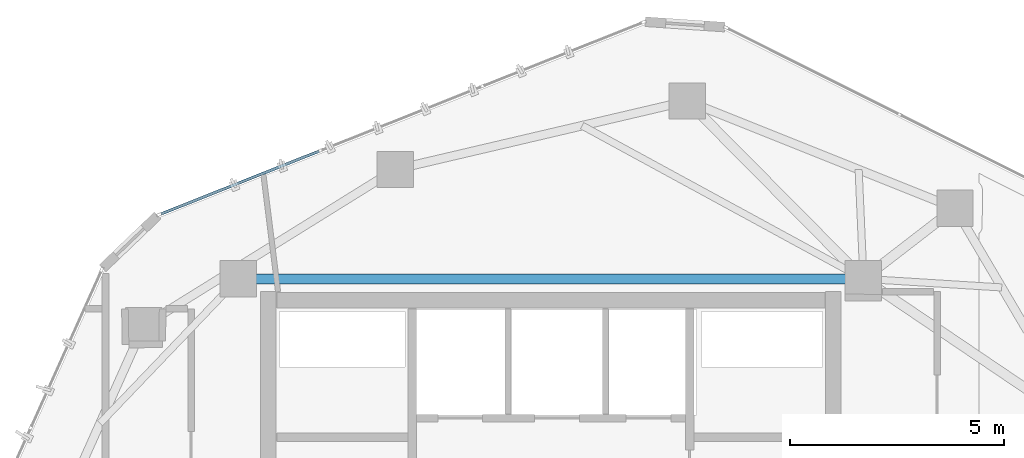
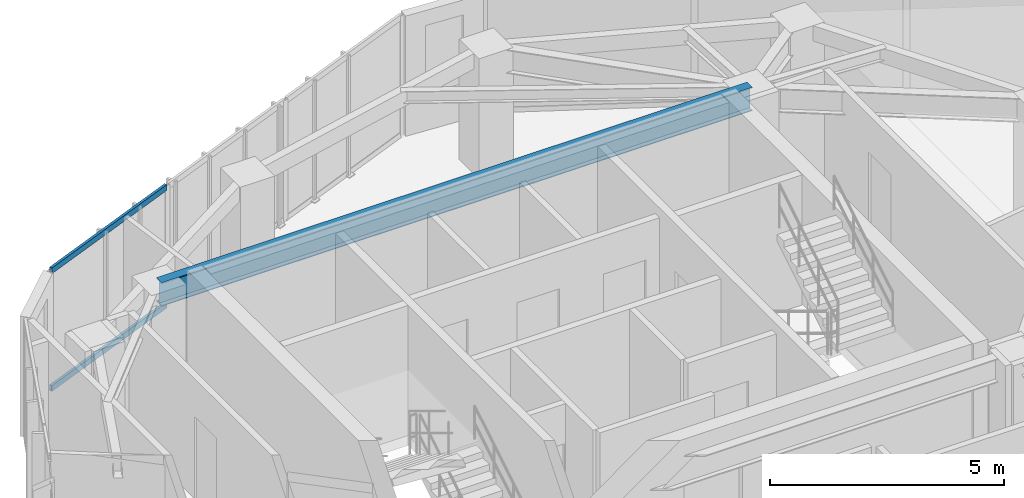
# One storey, part 10 of 20: 2 members, 1 beam, 1 element without a shape of its own.
"""IFC4 building model written with IfcOpenShell, lengths in metres."""

import ifcopenshell
import ifcopenshell.guid

model = None  # the IFC model being written
_history = None  # IfcOwnerHistory: only IFC2X3 demands one
_inside = {}  # id of a spatial element -> (the spatial element, [elements in it])
_under = {}  # id of a project, library or spatial element -> (it, [spatial elements below it])
_declared = {}  # id of a project -> (the project, [libraries it declares])
_typed = {}  # id of a type object -> (the type object, [elements of that type])
_made_of = {}  # id of a material, layer set ... -> (it, [elements and type objects made of it])


def new_model(schema):
    """Start an empty IFC model of exactly this schema.

    Asked for "IFC4X3", IfcOpenShell would pick the latest addendum, in which some entities
    have other attributes; the version numbers below select the first issue.
    IFC2X3 requires an IfcOwnerHistory on every rooted entity: one is made here for all.
    """
    global model, _history
    if schema == "IFC4X3":
        model = ifcopenshell.file(schema_version=(4, 3, 0, 0))
    else:
        model = ifcopenshell.file(schema=schema)
    _inside.clear()
    _under.clear()
    _declared.clear()
    _typed.clear()
    _made_of.clear()
    _history = None
    if model.schema == "IFC2X3":
        org = make("IfcOrganization", Name="unknown")
        user = make(
            "IfcPersonAndOrganization",
            ThePerson=make("IfcPerson", FamilyName="unknown"),
            TheOrganization=org,
        )
        app = make(
            "IfcApplication",
            ApplicationDeveloper=org,
            Version="unknown",
            ApplicationFullName="unknown",
            ApplicationIdentifier="unknown",
        )
        _history = make(
            "IfcOwnerHistory",
            OwningUser=user,
            OwningApplication=app,
            ChangeAction="ADDED",
            CreationDate=0,
        )
    return model


def make(cls, **values):
    """One entity of the class cls with the attributes given. An attribute that is None is left unset."""
    return model.create_entity(
        cls, **{name: value for name, value in values.items() if value is not None}
    )


def rooted(cls, **values):
    """An entity with a GlobalId (a new one), such as an element, a storey or a relation."""
    return make(cls, GlobalId=ifcopenshell.guid.new(), OwnerHistory=_history, **values)


def si_unit(unit_type, name, prefix=None):
    """IfcSIUnit, for example si_unit("LENGTHUNIT", "METRE", prefix="MILLI")."""
    return make("IfcSIUnit", UnitType=unit_type, Prefix=prefix, Name=name)


def assignment(units):
    """IfcUnitAssignment: the units of a project."""
    return None if units is None else make("IfcUnitAssignment", Units=units)


def point(xyz):
    """IfcCartesianPoint."""
    return None if xyz is None else make("IfcCartesianPoint", Coordinates=xyz)


def direction(xyz):
    """IfcDirection."""
    return None if xyz is None else make("IfcDirection", DirectionRatios=xyz)


def frame(location, z_axis=None, x_axis=None):
    """IfcAxis2Placement3D, a coordinate frame: its origin and axes. An axis left out is left unset."""
    return make(
        "IfcAxis2Placement3D",
        Location=point(location),
        Axis=direction(z_axis),
        RefDirection=direction(x_axis),
    )


def frame_2d(location, x_axis=None):
    """IfcAxis2Placement2D, a coordinate frame in the plane: its origin and x axis."""
    return make(
        "IfcAxis2Placement2D", Location=point(location), RefDirection=direction(x_axis)
    )


def origin():
    """The frame at (0, 0, 0) with its axes left unset."""
    return frame((0.0, 0.0, 0.0))


def origin_2d():
    """The frame at (0, 0) in the plane with its x axis left unset."""
    return frame_2d((0.0, 0.0))


def place(relative_to, where):
    """IfcLocalPlacement: puts the frame where relative to a parent placement (None: the world)."""
    return make(
        "IfcLocalPlacement", PlacementRelTo=relative_to, RelativePlacement=where
    )


def context(
    kind, dimensions, precision=None, world=None, true_north=None, identifier=None
):
    """IfcGeometricRepresentationContext, for example the 3D "Model" context."""
    return make(
        "IfcGeometricRepresentationContext",
        ContextIdentifier=identifier,
        ContextType=kind,
        CoordinateSpaceDimension=dimensions,
        Precision=precision,
        WorldCoordinateSystem=world,
        TrueNorth=true_north,
    )


def subcontext(parent, identifier, kind, view, scale=None):
    """IfcGeometricRepresentationSubContext, for example "Body" below "Model"."""
    return make(
        "IfcGeometricRepresentationSubContext",
        ContextIdentifier=identifier,
        ContextType=kind,
        ParentContext=parent,
        TargetScale=scale,
        TargetView=view,
    )


def project(units=None, contexts=None):
    """IfcProject with its units and contexts."""
    return rooted(
        "IfcProject",
        Name="project",
        RepresentationContexts=contexts,
        UnitsInContext=assignment(units),
    )


def spatial(cls, under=None, at=None, **own):
    """A site, building, storey or space (cls), placed at a placement, below another one or the project."""
    s = rooted(cls, ObjectPlacement=at, **own)
    if under is not None:
        _under.setdefault(under.id(), (under, []))[1].append(s)
    return s


def profile(cls, at=None, kind="AREA", **sizes):
    """A parametric profile (cls). Its sizes go by their IFC names, for example OverallWidth=200.0."""
    return make(cls, ProfileType=kind, Position=at, **sizes)


def hollow_rectangle(**sizes):
    """IfcRectangleHollowProfileDef."""
    return profile("IfcRectangleHollowProfileDef", **sizes)


def i_section(**sizes):
    """IfcIShapeProfileDef."""
    return profile("IfcIShapeProfileDef", **sizes)


def extrude(swept, where, along, depth):
    """IfcExtrudedAreaSolid: the profile swept, set in the frame where, extruded along a direction by depth."""
    return make(
        "IfcExtrudedAreaSolid",
        SweptArea=swept,
        Position=where,
        ExtrudedDirection=direction(along),
        Depth=depth,
    )


def shape(context_of_items, identifier, shape_type, items):
    """IfcShapeRepresentation: the items that make up one representation, for example the "Body"."""
    return make(
        "IfcShapeRepresentation",
        ContextOfItems=context_of_items,
        RepresentationIdentifier=identifier,
        RepresentationType=shape_type,
        Items=items,
    )


def source(mapping_origin, context_of_items, identifier, shape_type, items):
    """IfcRepresentationMap: a shape defined once, which mapped items show again and again."""
    return make(
        "IfcRepresentationMap",
        MappingOrigin=mapping_origin,
        MappedRepresentation=shape(context_of_items, identifier, shape_type, items),
    )


def transform(
    local_origin,
    x_axis=None,
    y_axis=None,
    z_axis=None,
    scale=None,
    scale2=None,
    scale3=None,
    uniform=True,
):
    """IfcCartesianTransformationOperator3D, or its non-uniform kind. x_axis, y_axis, z_axis: its Axis1, 2, 3."""
    if uniform:
        return make(
            "IfcCartesianTransformationOperator3D",
            Axis1=direction(x_axis),
            Axis2=direction(y_axis),
            LocalOrigin=point(local_origin),
            Scale=scale,
            Axis3=direction(z_axis),
        )
    return make(
        "IfcCartesianTransformationOperator3DnonUniform",
        Axis1=direction(x_axis),
        Axis2=direction(y_axis),
        LocalOrigin=point(local_origin),
        Scale=scale,
        Axis3=direction(z_axis),
        Scale2=scale2,
        Scale3=scale3,
    )


def mapped(mapping_source, mapping_target):
    """IfcMappedItem: shows the shape of a source again, moved by a transform."""
    return make(
        "IfcMappedItem", MappingSource=mapping_source, MappingTarget=mapping_target
    )


def material(Name=None, Category=None):
    """IfcMaterial."""
    return make("IfcMaterial", Name=Name, Category=Category)


def layer(
    of_material, thickness, ventilated=None, Name=None, Category=None, Priority=None
):
    """IfcMaterialLayer: one layer of a wall or slab, of a material (None: an air gap)."""
    return make(
        "IfcMaterialLayer",
        Material=of_material,
        LayerThickness=thickness,
        IsVentilated=ventilated,
        Name=Name,
        Category=Category,
        Priority=Priority,
    )


def layer_set(layers, Name=None):
    """IfcMaterialLayerSet."""
    return make("IfcMaterialLayerSet", MaterialLayers=layers, LayerSetName=Name)


def material_profile(
    of_material, cross_section, Name=None, Category=None, Priority=None
):
    """IfcMaterialProfile: a cross section and its material."""
    return make(
        "IfcMaterialProfile",
        Name=Name,
        Material=of_material,
        Profile=cross_section,
        Priority=Priority,
        Category=Category,
    )


def profile_set(profiles, Name=None, composite=None):
    """IfcMaterialProfileSet."""
    return make(
        "IfcMaterialProfileSet",
        Name=Name,
        MaterialProfiles=profiles,
        CompositeProfile=composite,
    )


def made_of(thing, what):
    """Note that an element or type object is made of a material, layer set ...; save() writes the relation."""
    if what is not None:
        _made_of.setdefault(what.id(), (what, []))[1].append(thing)
    return thing


def type_object(cls, material=None, **own):
    """A type object (cls), such as IfcWallType, which elements share."""
    return made_of(rooted(cls, **own), material)


def type_shapes(of_type, sources):
    """Give a type object the sources (RepresentationMaps) that its elements show as mapped items."""
    of_type.RepresentationMaps = sources


def element(
    cls,
    number,
    at=None,
    inside=None,
    cuts=None,
    type_object=None,
    material=None,
    context=None,
    identifier="Body",
    shape_type=None,
    held_by="IfcProductDefinitionShape",
    body=None,
    shapes=None,
    **own,
):
    """One element of the class cls, such as IfcWall. Its Tag is "e" and its number.

    at: its placement. inside: the storey or other place that contains it. cuts: it is an
    opening in that element (IfcRelVoidsElement). A single representation is given by context,
    identifier, shape_type and body (its items); several are given by shapes. held_by: the class
    of the entity that holds the representations. save() writes the other relations.
    """
    e = rooted(cls, Tag="e%d" % number, ObjectPlacement=at, **own)
    if body is not None:
        shapes = [shape(context, identifier, shape_type, body)]
    if shapes is not None:
        e.Representation = make(held_by, Representations=shapes)
    if inside is not None:
        _inside.setdefault(inside.id(), (inside, []))[1].append(e)
    if cuts is not None:
        rooted(
            "IfcRelVoidsElement", RelatingBuildingElement=cuts, RelatedOpeningElement=e
        )
    if type_object is not None:
        _typed.setdefault(type_object.id(), (type_object, []))[1].append(e)
    return made_of(e, material)


def aggregate(whole, parts):
    """IfcRelAggregates: a whole, such as a stair, and the parts it consists of."""
    return rooted("IfcRelAggregates", RelatingObject=whole, RelatedObjects=parts)


def save(model, path):
    """Write the relations noted so far, then the file.

    IfcRelAggregates (storeys below a building ...), IfcRelContainedInSpatialStructure (elements
    in a storey), IfcRelDefinesByType, IfcRelAssociatesMaterial and IfcRelDeclares: one each for
    every whole, place, type object, material and project.
    """
    for whole, parts in _under.values():
        aggregate(whole, parts)
    for where, things in _inside.values():
        rooted(
            "IfcRelContainedInSpatialStructure",
            RelatedElements=things,
            RelatingStructure=where,
        )
    for kind, things in _typed.values():
        rooted("IfcRelDefinesByType", RelatedObjects=things, RelatingType=kind)
    for what, things in _made_of.values():
        rooted("IfcRelAssociatesMaterial", RelatedObjects=things, RelatingMaterial=what)
    for by, libraries in _declared.values():
        rooted("IfcRelDeclares", RelatingContext=by, RelatedDefinitions=libraries)
    model.write(path)


model = new_model("IFC4")

# Units and contexts
model_context = context("Model", 3, precision=1e-05, world=origin(), true_north=direction((0.0, 1.0)))
body_context = subcontext(model_context, "Body", "Model", "MODEL_VIEW")
ifc_project = project(units=[si_unit("LENGTHUNIT", "METRE"), si_unit("AREAUNIT", "SQUARE_METRE"), si_unit("VOLUMEUNIT", "CUBIC_METRE"), si_unit("PLANEANGLEUNIT", "RADIAN"), si_unit("MASSUNIT", "GRAM", prefix="KILO")], contexts=[model_context])

# Site, building, storey
site_placement = place(None, origin())
site = spatial("IfcSite", under=ifc_project, at=site_placement, CompositionType="ELEMENT")
building_placement = place(site_placement, origin())
building = spatial("IfcBuilding", under=site, at=building_placement, Name="Talar Marvaseh", CompositionType="ELEMENT")
storey_placement = place(building_placement, frame((0.0, 0.0, 278.199951171875)))
storey = spatial("IfcBuildingStorey", under=building, at=storey_placement, Name="L74", CompositionType="ELEMENT", Elevation=278.199951171875)

# Beam
ifc_material_1 = material(Name="Steel S355", Category="steel")
ifc_material_profile_1 = material_profile(ifc_material_1, i_section(OverallWidth=0.22998046875, OverallDepth=0.616943359375, WebThickness=0.01318359375, FlangeThickness=0.022216796875, at=origin_2d()), Name="W610x140")
ifc_profile_set_1 = profile_set([ifc_material_profile_1], Name="Steel S355")
beam_type = type_object("IfcBeamType", Name="Zone 4 Radial Floor Girder W610x140", PredefinedType="BEAM", material=ifc_profile_set_1)
beam_placement = place(storey_placement, frame((18.699951171875, 36.89990234375, 2.83154296875), z_axis=(1.0, 0.0, 0.0), x_axis=(0.0, 1.0, 0.0)))
element("IfcBeam", 1, at=beam_placement, inside=storey, type_object=beam_type, Name="L74 Zone 4 Radial Floor Girder W610x140", PredefinedType="BEAM", context=body_context, shape_type="SweptSolid", body=[
    extrude(i_section(OverallWidth=0.22998046875, OverallDepth=0.616943359375, WebThickness=0.01318359375, FlangeThickness=0.022216796875, at=origin_2d()), origin(), (0.0, 0.0, 1.0), 14.60009765625),
])

# Curtain wall, members
ifc_material_2 = material(Name="Architectural Aluminium", Category="aluminium")
ifc_layer = layer(ifc_material_2, 0.179931640625)
ifc_layer_set = layer_set([ifc_layer], Name="Architectural Aluminium")
curtain_wall_type = type_object("IfcCurtainWallType", Name="Unitised High-Wind Sky Curtain Wall Z4", PredefinedType="NOTDEFINED", material=ifc_layer_set)
curtain_wall_placement = place(storey_placement, origin())
curtain_wall = element("IfcCurtainWall", 2, at=curtain_wall_placement, inside=storey, type_object=curtain_wall_type, Name="L74 Unitised High-Wind Sky Curtain Wall Z4", PredefinedType="NOTDEFINED")
ifc_material_profile_2 = material_profile(ifc_material_2, hollow_rectangle(XDim=0.06494140625, YDim=0.14990234375, WallThickness=0.00390625, at=origin_2d()), Name="RHS150x65x4")
ifc_profile_set_2 = profile_set([ifc_material_profile_2], Name="Architectural Aluminium")
member_type = type_object("IfcMemberType", Name="Unitised Curtain Wall Slim Transom RHS150x65x4", PredefinedType="USERDEFINED", material=ifc_profile_set_2)
shared_shape = source(origin(), body_context, "Body", "SweptSolid", [
    extrude(hollow_rectangle(XDim=0.06494140625, YDim=0.14990234375, WallThickness=0.00390625, at=origin_2d()), origin(), (0.0, 0.0, 1.0), 3.97119140625),
])
type_shapes(member_type, [shared_shape])
member_1_placement = place(storey_placement, frame((16.898681640625, 38.41455078125, 0.032470703125), z_axis=(0.929237904045, 0.369481958539, 0.0), x_axis=(-0.369481958539, 0.929237904045, 0.0)))
member_1 = element("IfcMember", 3, at=member_1_placement, type_object=member_type, Name="CW-Z4 transom 1.1", ObjectType="TRANSOM", PredefinedType="USERDEFINED", context=body_context, shape_type="MappedRepresentation", body=[
    mapped(shared_shape, transform((0.0, 0.0, 0.0), x_axis=(1.0, 0.0, 0.0), y_axis=(0.0, 1.0, 0.0), z_axis=(0.0, 0.0, 1.0), scale=1.0)),
])
member_2_placement = place(storey_placement, frame((16.898681640625, 38.41455078125, 3.107666015625), z_axis=(0.929237904045, 0.369481958539, 0.0), x_axis=(-0.369481958539, 0.929237904045, 0.0)))
member_2 = element("IfcMember", 4, at=member_2_placement, type_object=member_type, Name="CW-Z4 transom 1.2", ObjectType="TRANSOM", PredefinedType="USERDEFINED", context=body_context, shape_type="MappedRepresentation", body=[
    mapped(shared_shape, transform((0.0, 0.0, 0.0), x_axis=(1.0, 0.0, 0.0), y_axis=(0.0, 1.0, 0.0), z_axis=(0.0, 0.0, 1.0), scale=1.0)),
])
aggregate(curtain_wall, [member_1, member_2])

save(model, "model.ifc")
